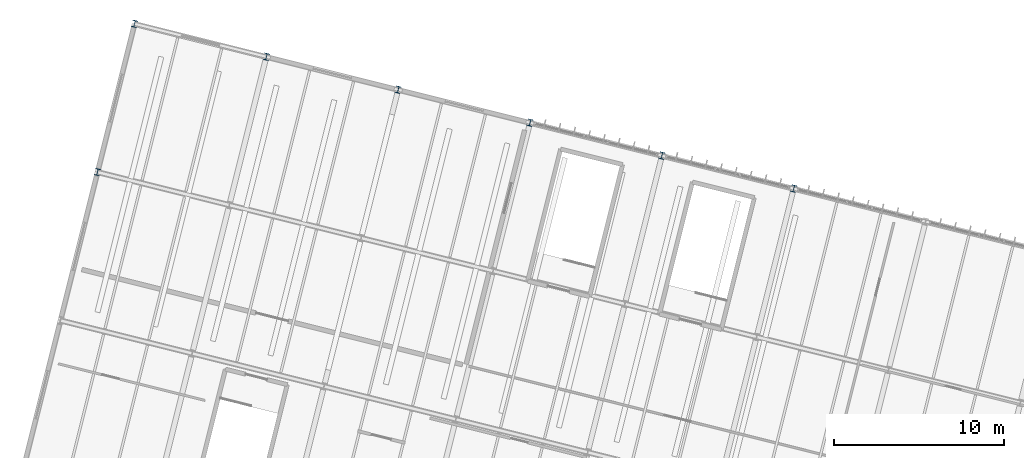
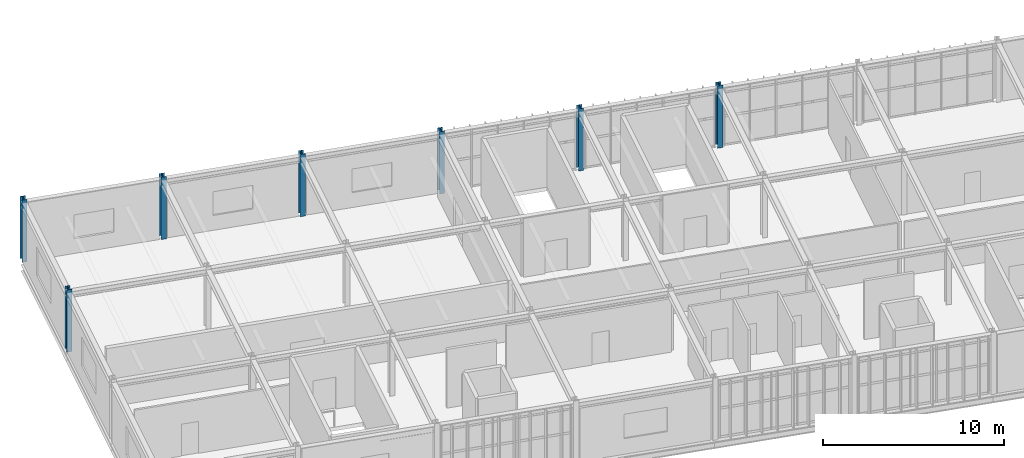
# One storey, part 3 of 30: 7 columns.
"""IFC4 building model written with IfcOpenShell, lengths in metres."""

from ifc_helpers import new_model, si_unit, derived_unit, direction, frame, origin, origin_2d, place, context, subcontext, project, spatial, i_section, extrude, material, material_profile, profile_set, type_object, element, save


model = new_model("IFC4")

# Units and contexts
model_context = context("Model", 3, precision=1e-05, world=origin(), true_north=direction((0.0, 1.0)))
body_context = subcontext(model_context, "Body", "Model", "MODEL_VIEW")
ifc_project = project(units=[si_unit("LENGTHUNIT", "METRE"), si_unit("AREAUNIT", "SQUARE_METRE"), si_unit("VOLUMEUNIT", "CUBIC_METRE"), si_unit("PLANEANGLEUNIT", "RADIAN"), si_unit("MASSUNIT", "GRAM", prefix="KILO"), si_unit("THERMODYNAMICTEMPERATUREUNIT", "KELVIN"), si_unit("TIMEUNIT", "SECOND"), derived_unit("THERMALTRANSMITTANCEUNIT", [(si_unit("MASSUNIT", "GRAM", prefix="KILO"), 1), (si_unit("THERMODYNAMICTEMPERATUREUNIT", "KELVIN"), -1), (si_unit("TIMEUNIT", "SECOND"), -3)])], contexts=[model_context])

# Site, building, storey
site_placement = place(None, origin())
site = spatial("IfcSite", under=ifc_project, at=site_placement, CompositionType="ELEMENT")
building_placement = place(site_placement, origin())
building = spatial("IfcBuilding", under=site, at=building_placement, Name="Cambertide Market Hall", CompositionType="ELEMENT")
storey_placement = place(building_placement, frame((0.0, 0.0, 14.10009765625)))
storey = spatial("IfcBuildingStorey", under=building, at=storey_placement, Name="L04", CompositionType="ELEMENT", Elevation=14.10009765625)

# Columns
ifc_material = material(Name="Steel S355", Category="steel")
ifc_material_profile = material_profile(ifc_material, i_section(OverallWidth=0.300048828125, OverallDepth=0.389892578125, WebThickness=0.010986328125, FlangeThickness=0.01904296875, FilletRadius=0.027099609375, at=origin_2d()), Name="HEA 400")
ifc_profile_set = profile_set([ifc_material_profile], Name="Steel S355")
column_type = type_object("IfcColumnType", Name="Exterior Steel Column HEA 400", PredefinedType="COLUMN", material=ifc_profile_set)
for number, where, z_axis, x_axis, name in (
    (1, (112.36572265625, 117.462646484375, 0.0), (0.0, 0.0, 1.0), (0.970142500145, -0.242535625038, 0.0), "Level 4 Column COL-V4-1-3-L04"),
    (2, (114.548583984375, 126.19384765625, 0.0), (0.0, 0.0, 1.0), (0.970142500145, -0.242535625038, 0.0), "Level 4 Column COL-V4-1-4-L04"),
    (3, (122.3095703125, 124.253662109375, 0.0), (0.0, 0.0, 1.0), (0.970142500145, -0.242535625038, 0.0), "Level 4 Column COL-V4-2-4-L04"),
    (4, (130.07080078125, 122.313232421875, 0.0), (0.0, 0.0, 1.0), (0.970142500145, -0.242535625038, 0.0), "Level 4 Column COL-V4-3-4-L04"),
    (5, (137.831787109375, 120.373046875, 0.0), (0.0, 0.0, 1.0), (0.970142500145, -0.242535625038, 0.0), "Level 4 Column COL-V4-4-4-L04"),
    (6, (145.593017578125, 118.4326171875, 0.0), (0.0, 0.0, 1.0), (0.970142500145, -0.242535625038, 0.0), "Level 4 Column COL-V4-5-4-L04"),
    (7, (153.354248046875, 116.492431640625, 0.0), (0.0, 0.0, 1.0), (0.970142500145, -0.242535625038, 0.0), "Level 4 Column COL-V4-6-4-L04"),
):
    element("IfcColumn", number, at=place(storey_placement, frame(where, z_axis=z_axis, x_axis=x_axis)), inside=storey, type_object=column_type, Name=name, PredefinedType="COLUMN", context=body_context, shape_type="SweptSolid", body=[
        extrude(i_section(OverallWidth=0.300048828125, OverallDepth=0.389892578125, WebThickness=0.010986328125, FlangeThickness=0.01904296875, FilletRadius=0.027099609375, at=origin_2d()), origin(), (0.0, 0.0, 1.0), 4.199951171875),
    ])

save(model, "model.ifc")
